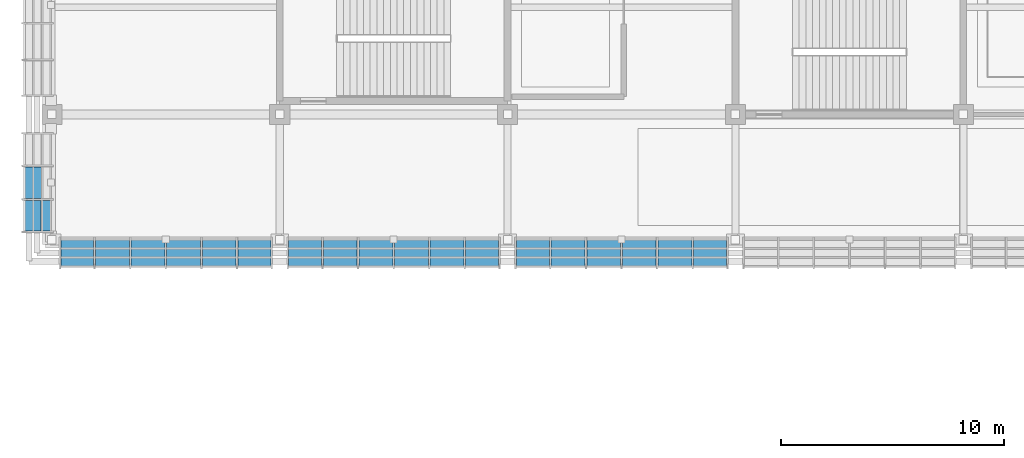
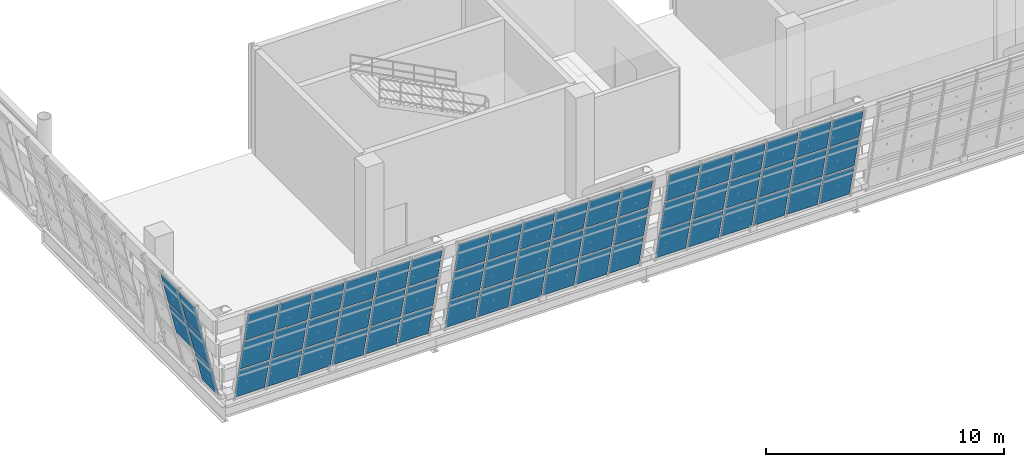
# One storey, part 102 of 175: 59 plates, 4 elements without a shape of their own.
"""IFC4 building model written with IfcOpenShell, lengths in metres."""

from ifc_helpers import new_model, si_unit, direction, frame, origin, place, context, subcontext, project, spatial, polyline, outline, extrude, material, layer, layer_set, type_object, element, aggregate, save


model = new_model("IFC4")

# Units and contexts
model_context = context("Model", 3, precision=1e-05, world=origin(), true_north=direction((0.0, 1.0)))
body_context = subcontext(model_context, "Body", "Model", "MODEL_VIEW")
ifc_project = project(units=[si_unit("LENGTHUNIT", "METRE"), si_unit("AREAUNIT", "SQUARE_METRE"), si_unit("VOLUMEUNIT", "CUBIC_METRE"), si_unit("PLANEANGLEUNIT", "RADIAN"), si_unit("MASSUNIT", "GRAM", prefix="KILO")], contexts=[model_context])

# Site, building, storey
site_placement = place(None, origin())
site = spatial("IfcSite", under=ifc_project, at=site_placement, CompositionType="ELEMENT")
building_placement = place(site_placement, origin())
building = spatial("IfcBuilding", under=site, at=building_placement, Name="Brelvane Convention Centre", CompositionType="ELEMENT")
storey_placement = place(building_placement, frame((0.0, 0.0, 5.39990234375)))
storey = spatial("IfcBuildingStorey", under=building, at=storey_placement, Name="L01", CompositionType="ELEMENT", Elevation=5.39990234375)

# Curtain wall, plates
ifc_material_1 = material(Name="Anodised Aluminium Alloy 6063-T6", Category="aluminium")
curtain_wall_type = type_object("IfcCurtainWallType", Name="Curtain Wall CW-HULL-S", PredefinedType="USERDEFINED", material=ifc_material_1)
curtain_wall_1_placement = place(storey_placement, origin())
curtain_wall_1 = element("IfcCurtainWall", 1, at=curtain_wall_1_placement, inside=storey, type_object=curtain_wall_type, Name="Curtain Wall CW-HULL-S L01-HULL-S-L01-01", ObjectType="UNITISED", PredefinedType="USERDEFINED")
ifc_material_2 = material(Name="Double Glazed Low-E Laminated Unit")
ifc_layer_1 = layer(ifc_material_2, 0.031982421875)
ifc_layer_set_1 = layer_set([ifc_layer_1], Name="Double Glazed Low-E Laminated Unit")
plate_type_1 = type_object("IfcPlateType", Name="Curtain Panel CW-PG1", PredefinedType="CURTAIN_PANEL", material=ifc_layer_set_1)
plate_1_placement = place(storey_placement, frame((0.39990234375, 13.18798828125, 1.7568359375), z_axis=(0.0, 0.973584535906, 0.228326852222), x_axis=(1.0, 0.0, 0.0)))
plate_1 = element("IfcPlate", 2, at=plate_1_placement, type_object=plate_type_1, Name="CW-HULL-S panel 1.2", PredefinedType="CURTAIN_PANEL", context=body_context, shape_type="SweptSolid", body=[
    extrude(outline(polyline([(0.0, 0.0), (1.473388671875, 0.0), (1.473388671875, -1.680875721647406), (0.0, -1.680875721647406), (0.0, 0.0)])), origin(), (0.0, 0.0, -1.0), 0.031982421875),
])
plate_2_placement = place(storey_placement, frame((0.39990234375, 12.785400390625, 3.473388671875), z_axis=(0.0, 0.973577021422, 0.228358891569), x_axis=(1.0, 0.0, 0.0)))
plate_2 = element("IfcPlate", 3, at=plate_2_placement, type_object=plate_type_1, Name="CW-HULL-S panel 1.3", PredefinedType="CURTAIN_PANEL", context=body_context, shape_type="SweptSolid", body=[
    extrude(outline(polyline([(0.0, 0.0), (1.473388671875, 0.0), (1.473388671875, -1.640013735294975), (0.0, -1.640013735294975), (0.0, 0.0)])), origin(), (0.0, 0.0, -1.0), 0.031982421875),
])
plate_3_placement = place(storey_placement, frame((1.953369140625, 13.18798828125, 1.7568359375), z_axis=(0.0, 0.973584535906, 0.228326852222), x_axis=(1.0, 0.0, 0.0)))
plate_3 = element("IfcPlate", 4, at=plate_3_placement, type_object=plate_type_1, Name="CW-HULL-S panel 2.2", PredefinedType="CURTAIN_PANEL", context=body_context, shape_type="SweptSolid", body=[
    extrude(outline(polyline([(0.0, 0.0), (1.51318359375, 0.0), (1.51318359375, -1.680875721647406), (0.0, -1.680875721647406), (0.0, 0.0)])), origin(), (0.0, 0.0, -1.0), 0.031982421875),
])
plate_4_placement = place(storey_placement, frame((1.953369140625, 12.785400390625, 3.473388671875), z_axis=(0.0, 0.973577021422, 0.228358891569), x_axis=(1.0, 0.0, 0.0)))
plate_4 = element("IfcPlate", 5, at=plate_4_placement, type_object=plate_type_1, Name="CW-HULL-S panel 2.3", PredefinedType="CURTAIN_PANEL", context=body_context, shape_type="SweptSolid", body=[
    extrude(outline(polyline([(0.0, 0.0), (1.51318359375, 0.0), (1.51318359375, -1.640013735294975), (0.0, -1.640013735294975), (0.0, 0.0)])), origin(), (0.0, 0.0, -1.0), 0.031982421875),
])
plate_5_placement = place(storey_placement, frame((3.546630859375, 13.18798828125, 1.7568359375), z_axis=(0.0, 0.973584535906, 0.228326852222), x_axis=(1.0, 0.0, 0.0)))
plate_5 = element("IfcPlate", 6, at=plate_5_placement, type_object=plate_type_1, Name="CW-HULL-S panel 3.2", PredefinedType="CURTAIN_PANEL", context=body_context, shape_type="SweptSolid", body=[
    extrude(outline(polyline([(0.0, 0.0), (1.513427734375, 0.0), (1.513427734375, -1.680875721647406), (0.0, -1.680875721647406), (0.0, 0.0)])), origin(), (0.0, 0.0, -1.0), 0.031982421875),
])
plate_6_placement = place(storey_placement, frame((3.546630859375, 12.785400390625, 3.473388671875), z_axis=(0.0, 0.973577021422, 0.228358891569), x_axis=(1.0, 0.0, 0.0)))
plate_6 = element("IfcPlate", 7, at=plate_6_placement, type_object=plate_type_1, Name="CW-HULL-S panel 3.3", PredefinedType="CURTAIN_PANEL", context=body_context, shape_type="SweptSolid", body=[
    extrude(outline(polyline([(0.0, 0.0), (1.513427734375, 0.0), (1.513427734375, -1.6400137352949753), (0.0, -1.6400137352949753), (0.0, 0.0)])), origin(), (0.0, 0.0, -1.0), 0.031982421875),
])
plate_7_placement = place(storey_placement, frame((5.139892578125, 13.18798828125, 1.7568359375), z_axis=(0.0, 0.973584535906, 0.228326852222), x_axis=(1.0, 0.0, 0.0)))
plate_7 = element("IfcPlate", 8, at=plate_7_placement, type_object=plate_type_1, Name="CW-HULL-S panel 4.2", PredefinedType="CURTAIN_PANEL", context=body_context, shape_type="SweptSolid", body=[
    extrude(outline(polyline([(0.0, 0.0), (1.513427734375, 0.0), (1.513427734375, -1.680875721647406), (0.0, -1.680875721647406), (0.0, 0.0)])), origin(), (0.0, 0.0, -1.0), 0.031982421875),
])
plate_8_placement = place(storey_placement, frame((5.139892578125, 12.785400390625, 3.473388671875), z_axis=(0.0, 0.973577021422, 0.228358891569), x_axis=(1.0, 0.0, 0.0)))
plate_8 = element("IfcPlate", 9, at=plate_8_placement, type_object=plate_type_1, Name="CW-HULL-S panel 4.3", PredefinedType="CURTAIN_PANEL", context=body_context, shape_type="SweptSolid", body=[
    extrude(outline(polyline([(0.0, 0.0), (1.513427734375, 0.0), (1.513427734375, -1.6400137352949753), (0.0, -1.6400137352949753), (0.0, 0.0)])), origin(), (0.0, 0.0, -1.0), 0.031982421875),
])
plate_9_placement = place(storey_placement, frame((6.7333984375, 13.18798828125, 1.7568359375), z_axis=(0.0, 0.973584535906, 0.228326852222), x_axis=(1.0, 0.0, 0.0)))
plate_9 = element("IfcPlate", 10, at=plate_9_placement, type_object=plate_type_1, Name="CW-HULL-S panel 5.2", PredefinedType="CURTAIN_PANEL", context=body_context, shape_type="SweptSolid", body=[
    extrude(outline(polyline([(0.0, 0.0), (1.51318359375, 0.0), (1.51318359375, -1.680875721647406), (0.0, -1.680875721647406), (0.0, 0.0)])), origin(), (0.0, 0.0, -1.0), 0.031982421875),
])
plate_10_placement = place(storey_placement, frame((6.7333984375, 12.785400390625, 3.473388671875), z_axis=(0.0, 0.973577021422, 0.228358891569), x_axis=(1.0, 0.0, 0.0)))
plate_10 = element("IfcPlate", 11, at=plate_10_placement, type_object=plate_type_1, Name="CW-HULL-S panel 5.3", PredefinedType="CURTAIN_PANEL", context=body_context, shape_type="SweptSolid", body=[
    extrude(outline(polyline([(0.0, 0.0), (1.51318359375, 0.0), (1.51318359375, -1.640013735294975), (0.0, -1.640013735294975), (0.0, 0.0)])), origin(), (0.0, 0.0, -1.0), 0.031982421875),
])
plate_11_placement = place(storey_placement, frame((8.32666015625, 13.18798828125, 1.7568359375), z_axis=(0.0, 0.973584535906, 0.228326852222), x_axis=(1.0, 0.0, 0.0)))
plate_11 = element("IfcPlate", 12, at=plate_11_placement, type_object=plate_type_1, Name="CW-HULL-S panel 6.2", PredefinedType="CURTAIN_PANEL", context=body_context, shape_type="SweptSolid", body=[
    extrude(outline(polyline([(0.0, 0.0), (1.473388671875, 0.0), (1.473388671875, -1.680875721647406), (0.0, -1.680875721647406), (0.0, 0.0)])), origin(), (0.0, 0.0, -1.0), 0.031982421875),
])
plate_12_placement = place(storey_placement, frame((8.32666015625, 12.785400390625, 3.473388671875), z_axis=(0.0, 0.973577021422, 0.228358891569), x_axis=(1.0, 0.0, 0.0)))
plate_12 = element("IfcPlate", 13, at=plate_12_placement, type_object=plate_type_1, Name="CW-HULL-S panel 6.3", PredefinedType="CURTAIN_PANEL", context=body_context, shape_type="SweptSolid", body=[
    extrude(outline(polyline([(0.0, 0.0), (1.473388671875, 0.0), (1.473388671875, -1.640013735294975), (0.0, -1.640013735294975), (0.0, 0.0)])), origin(), (0.0, 0.0, -1.0), 0.031982421875),
])

curtain_wall_2_placement = place(storey_placement, origin())
curtain_wall_2 = element("IfcCurtainWall", 14, at=curtain_wall_2_placement, inside=storey, type_object=curtain_wall_type, Name="Curtain Wall CW-HULL-S L01-HULL-S-L01-02", ObjectType="UNITISED", PredefinedType="USERDEFINED")
plate_13_placement = place(storey_placement, frame((10.60009765625, 13.18798828125, 1.7568359375), z_axis=(0.0, 0.973584535906, 0.228326852222), x_axis=(1.0, 0.0, 0.0)))
plate_13 = element("IfcPlate", 15, at=plate_13_placement, type_object=plate_type_1, Name="CW-HULL-S panel 1.2", PredefinedType="CURTAIN_PANEL", context=body_context, shape_type="SweptSolid", body=[
    extrude(outline(polyline([(0.0, 0.0), (1.47314453125, 0.0), (1.47314453125, -1.680875721647406), (0.0, -1.680875721647406), (0.0, 0.0)])), origin(), (0.0, 0.0, -1.0), 0.031982421875),
])
plate_14_placement = place(storey_placement, frame((10.60009765625, 12.785400390625, 3.473388671875), z_axis=(0.0, 0.973577021422, 0.228358891569), x_axis=(1.0, 0.0, 0.0)))
plate_14 = element("IfcPlate", 16, at=plate_14_placement, type_object=plate_type_1, Name="CW-HULL-S panel 1.3", PredefinedType="CURTAIN_PANEL", context=body_context, shape_type="SweptSolid", body=[
    extrude(outline(polyline([(0.0, 0.0), (1.47314453125, 0.0), (1.47314453125, -1.6400137352949753), (0.0, -1.6400137352949753), (0.0, 0.0)])), origin(), (0.0, 0.0, -1.0), 0.031982421875),
])
plate_15_placement = place(storey_placement, frame((12.1533203125, 13.18798828125, 1.7568359375), z_axis=(0.0, 0.973584535906, 0.228326852222), x_axis=(1.0, 0.0, 0.0)))
plate_15 = element("IfcPlate", 17, at=plate_15_placement, type_object=plate_type_1, Name="CW-HULL-S panel 2.2", PredefinedType="CURTAIN_PANEL", context=body_context, shape_type="SweptSolid", body=[
    extrude(outline(polyline([(0.0, 0.0), (1.513427734375, 0.0), (1.513427734375, -1.680875721647406), (0.0, -1.680875721647406), (0.0, 0.0)])), origin(), (0.0, 0.0, -1.0), 0.031982421875),
])
plate_16_placement = place(storey_placement, frame((12.1533203125, 12.785400390625, 3.473388671875), z_axis=(0.0, 0.973577021422, 0.228358891569), x_axis=(1.0, 0.0, 0.0)))
plate_16 = element("IfcPlate", 18, at=plate_16_placement, type_object=plate_type_1, Name="CW-HULL-S panel 2.3", PredefinedType="CURTAIN_PANEL", context=body_context, shape_type="SweptSolid", body=[
    extrude(outline(polyline([(0.0, 0.0), (1.513427734375, 0.0), (1.513427734375, -1.6400137352949753), (0.0, -1.6400137352949753), (0.0, 0.0)])), origin(), (0.0, 0.0, -1.0), 0.031982421875),
])
plate_17_placement = place(storey_placement, frame((13.74658203125, 13.18798828125, 1.7568359375), z_axis=(0.0, 0.973584535906, 0.228326852222), x_axis=(1.0, 0.0, 0.0)))
plate_17 = element("IfcPlate", 19, at=plate_17_placement, type_object=plate_type_1, Name="CW-HULL-S panel 3.2", PredefinedType="CURTAIN_PANEL", context=body_context, shape_type="SweptSolid", body=[
    extrude(outline(polyline([(0.0, 0.0), (1.513427734375, 0.0), (1.513427734375, -1.680875721647406), (0.0, -1.680875721647406), (0.0, 0.0)])), origin(), (0.0, 0.0, -1.0), 0.031982421875),
])
plate_18_placement = place(storey_placement, frame((13.74658203125, 12.785400390625, 3.473388671875), z_axis=(0.0, 0.973577021422, 0.228358891569), x_axis=(1.0, 0.0, 0.0)))
plate_18 = element("IfcPlate", 20, at=plate_18_placement, type_object=plate_type_1, Name="CW-HULL-S panel 3.3", PredefinedType="CURTAIN_PANEL", context=body_context, shape_type="SweptSolid", body=[
    extrude(outline(polyline([(0.0, 0.0), (1.513427734375, 0.0), (1.513427734375, -1.6400137352949753), (0.0, -1.6400137352949753), (0.0, 0.0)])), origin(), (0.0, 0.0, -1.0), 0.031982421875),
])
plate_19_placement = place(storey_placement, frame((15.340087890625, 13.18798828125, 1.7568359375), z_axis=(0.0, 0.973584535906, 0.228326852222), x_axis=(1.0, 0.0, 0.0)))
plate_19 = element("IfcPlate", 21, at=plate_19_placement, type_object=plate_type_1, Name="CW-HULL-S panel 4.2", PredefinedType="CURTAIN_PANEL", context=body_context, shape_type="SweptSolid", body=[
    extrude(outline(polyline([(0.0, 0.0), (1.51318359375, 0.0), (1.51318359375, -1.680875721647406), (0.0, -1.680875721647406), (0.0, 0.0)])), origin(), (0.0, 0.0, -1.0), 0.031982421875),
])
plate_20_placement = place(storey_placement, frame((15.340087890625, 12.785400390625, 3.473388671875), z_axis=(0.0, 0.973577021422, 0.228358891569), x_axis=(1.0, 0.0, 0.0)))
plate_20 = element("IfcPlate", 22, at=plate_20_placement, type_object=plate_type_1, Name="CW-HULL-S panel 4.3", PredefinedType="CURTAIN_PANEL", context=body_context, shape_type="SweptSolid", body=[
    extrude(outline(polyline([(0.0, 0.0), (1.51318359375, 0.0), (1.51318359375, -1.640013735294975), (0.0, -1.640013735294975), (0.0, 0.0)])), origin(), (0.0, 0.0, -1.0), 0.031982421875),
])
plate_21_placement = place(storey_placement, frame((16.933349609375, 13.18798828125, 1.7568359375), z_axis=(0.0, 0.973584535906, 0.228326852222), x_axis=(1.0, 0.0, 0.0)))
plate_21 = element("IfcPlate", 23, at=plate_21_placement, type_object=plate_type_1, Name="CW-HULL-S panel 5.2", PredefinedType="CURTAIN_PANEL", context=body_context, shape_type="SweptSolid", body=[
    extrude(outline(polyline([(0.0, 0.0), (1.513427734375, 0.0), (1.513427734375, -1.680875721647406), (0.0, -1.680875721647406), (0.0, 0.0)])), origin(), (0.0, 0.0, -1.0), 0.031982421875),
])
plate_22_placement = place(storey_placement, frame((16.933349609375, 12.785400390625, 3.473388671875), z_axis=(0.0, 0.973577021422, 0.228358891569), x_axis=(1.0, 0.0, 0.0)))
plate_22 = element("IfcPlate", 24, at=plate_22_placement, type_object=plate_type_1, Name="CW-HULL-S panel 5.3", PredefinedType="CURTAIN_PANEL", context=body_context, shape_type="SweptSolid", body=[
    extrude(outline(polyline([(0.0, 0.0), (1.513427734375, 0.0), (1.513427734375, -1.6400137352949753), (0.0, -1.6400137352949753), (0.0, 0.0)])), origin(), (0.0, 0.0, -1.0), 0.031982421875),
])
plate_23_placement = place(storey_placement, frame((18.526611328125, 13.18798828125, 1.7568359375), z_axis=(0.0, 0.973584535906, 0.228326852222), x_axis=(1.0, 0.0, 0.0)))
plate_23 = element("IfcPlate", 25, at=plate_23_placement, type_object=plate_type_1, Name="CW-HULL-S panel 6.2", PredefinedType="CURTAIN_PANEL", context=body_context, shape_type="SweptSolid", body=[
    extrude(outline(polyline([(0.0, 0.0), (1.473388671875, 0.0), (1.473388671875, -1.680875721647406), (0.0, -1.680875721647406), (0.0, 0.0)])), origin(), (0.0, 0.0, -1.0), 0.031982421875),
])
plate_24_placement = place(storey_placement, frame((18.526611328125, 12.785400390625, 3.473388671875), z_axis=(0.0, 0.973577021422, 0.228358891569), x_axis=(1.0, 0.0, 0.0)))
plate_24 = element("IfcPlate", 26, at=plate_24_placement, type_object=plate_type_1, Name="CW-HULL-S panel 6.3", PredefinedType="CURTAIN_PANEL", context=body_context, shape_type="SweptSolid", body=[
    extrude(outline(polyline([(0.0, 0.0), (1.473388671875, 0.0), (1.473388671875, -1.640013735294975), (0.0, -1.640013735294975), (0.0, 0.0)])), origin(), (0.0, 0.0, -1.0), 0.031982421875),
])

curtain_wall_3_placement = place(storey_placement, origin())
curtain_wall_3 = element("IfcCurtainWall", 27, at=curtain_wall_3_placement, inside=storey, type_object=curtain_wall_type, Name="Curtain Wall CW-HULL-S L01-HULL-S-L01-03", ObjectType="UNITISED", PredefinedType="USERDEFINED")
plate_25_placement = place(storey_placement, frame((20.800048828125, 13.18798828125, 1.7568359375), z_axis=(0.0, 0.973584535906, 0.228326852222), x_axis=(1.0, 0.0, 0.0)))
plate_25 = element("IfcPlate", 28, at=plate_25_placement, type_object=plate_type_1, Name="CW-HULL-S panel 1.2", PredefinedType="CURTAIN_PANEL", context=body_context, shape_type="SweptSolid", body=[
    extrude(outline(polyline([(0.0, 0.0), (1.473388671875, 0.0), (1.473388671875, -1.680875721647406), (0.0, -1.680875721647406), (0.0, 0.0)])), origin(), (0.0, 0.0, -1.0), 0.031982421875),
])
plate_26_placement = place(storey_placement, frame((20.800048828125, 12.785400390625, 3.473388671875), z_axis=(0.0, 0.973577021422, 0.228358891569), x_axis=(1.0, 0.0, 0.0)))
plate_26 = element("IfcPlate", 29, at=plate_26_placement, type_object=plate_type_1, Name="CW-HULL-S panel 1.3", PredefinedType="CURTAIN_PANEL", context=body_context, shape_type="SweptSolid", body=[
    extrude(outline(polyline([(0.0, 0.0), (1.473388671875, 0.0), (1.473388671875, -1.640013735294975), (0.0, -1.640013735294975), (0.0, 0.0)])), origin(), (0.0, 0.0, -1.0), 0.031982421875),
])
plate_27_placement = place(storey_placement, frame((22.353271484375, 13.18798828125, 1.7568359375), z_axis=(0.0, 0.973584535906, 0.228326852222), x_axis=(1.0, 0.0, 0.0)))
plate_27 = element("IfcPlate", 30, at=plate_27_placement, type_object=plate_type_1, Name="CW-HULL-S panel 2.2", PredefinedType="CURTAIN_PANEL", context=body_context, shape_type="SweptSolid", body=[
    extrude(outline(polyline([(0.0, 0.0), (1.513427734375, 0.0), (1.513427734375, -1.680875721647406), (0.0, -1.680875721647406), (0.0, 0.0)])), origin(), (0.0, 0.0, -1.0), 0.031982421875),
])
plate_28_placement = place(storey_placement, frame((22.353271484375, 12.785400390625, 3.473388671875), z_axis=(0.0, 0.973577021422, 0.228358891569), x_axis=(1.0, 0.0, 0.0)))
plate_28 = element("IfcPlate", 31, at=plate_28_placement, type_object=plate_type_1, Name="CW-HULL-S panel 2.3", PredefinedType="CURTAIN_PANEL", context=body_context, shape_type="SweptSolid", body=[
    extrude(outline(polyline([(0.0, 0.0), (1.513427734375, 0.0), (1.513427734375, -1.6400137352949753), (0.0, -1.6400137352949753), (0.0, 0.0)])), origin(), (0.0, 0.0, -1.0), 0.031982421875),
])
plate_29_placement = place(storey_placement, frame((23.94677734375, 13.18798828125, 1.7568359375), z_axis=(0.0, 0.973584535906, 0.228326852222), x_axis=(1.0, 0.0, 0.0)))
plate_29 = element("IfcPlate", 32, at=plate_29_placement, type_object=plate_type_1, Name="CW-HULL-S panel 3.2", PredefinedType="CURTAIN_PANEL", context=body_context, shape_type="SweptSolid", body=[
    extrude(outline(polyline([(0.0, 0.0), (1.51318359375, 0.0), (1.51318359375, -1.680875721647406), (0.0, -1.680875721647406), (0.0, 0.0)])), origin(), (0.0, 0.0, -1.0), 0.031982421875),
])
plate_30_placement = place(storey_placement, frame((23.94677734375, 12.785400390625, 3.473388671875), z_axis=(0.0, 0.973577021422, 0.228358891569), x_axis=(1.0, 0.0, 0.0)))
plate_30 = element("IfcPlate", 33, at=plate_30_placement, type_object=plate_type_1, Name="CW-HULL-S panel 3.3", PredefinedType="CURTAIN_PANEL", context=body_context, shape_type="SweptSolid", body=[
    extrude(outline(polyline([(0.0, 0.0), (1.51318359375, 0.0), (1.51318359375, -1.640013735294975), (0.0, -1.640013735294975), (0.0, 0.0)])), origin(), (0.0, 0.0, -1.0), 0.031982421875),
])
plate_31_placement = place(storey_placement, frame((25.5400390625, 13.18798828125, 1.7568359375), z_axis=(0.0, 0.973584535906, 0.228326852222), x_axis=(1.0, 0.0, 0.0)))
plate_31 = element("IfcPlate", 34, at=plate_31_placement, type_object=plate_type_1, Name="CW-HULL-S panel 4.2", PredefinedType="CURTAIN_PANEL", context=body_context, shape_type="SweptSolid", body=[
    extrude(outline(polyline([(0.0, 0.0), (1.51318359375, 0.0), (1.51318359375, -1.680875721647406), (0.0, -1.680875721647406), (0.0, 0.0)])), origin(), (0.0, 0.0, -1.0), 0.031982421875),
])
plate_32_placement = place(storey_placement, frame((25.5400390625, 12.785400390625, 3.473388671875), z_axis=(0.0, 0.973577021422, 0.228358891569), x_axis=(1.0, 0.0, 0.0)))
plate_32 = element("IfcPlate", 35, at=plate_32_placement, type_object=plate_type_1, Name="CW-HULL-S panel 4.3", PredefinedType="CURTAIN_PANEL", context=body_context, shape_type="SweptSolid", body=[
    extrude(outline(polyline([(0.0, 0.0), (1.51318359375, 0.0), (1.51318359375, -1.640013735294975), (0.0, -1.640013735294975), (0.0, 0.0)])), origin(), (0.0, 0.0, -1.0), 0.031982421875),
])
plate_33_placement = place(storey_placement, frame((27.13330078125, 13.18798828125, 1.7568359375), z_axis=(0.0, 0.973584535906, 0.228326852222), x_axis=(1.0, 0.0, 0.0)))
plate_33 = element("IfcPlate", 36, at=plate_33_placement, type_object=plate_type_1, Name="CW-HULL-S panel 5.2", PredefinedType="CURTAIN_PANEL", context=body_context, shape_type="SweptSolid", body=[
    extrude(outline(polyline([(0.0, 0.0), (1.513427734375, 0.0), (1.513427734375, -1.680875721647406), (0.0, -1.680875721647406), (0.0, 0.0)])), origin(), (0.0, 0.0, -1.0), 0.031982421875),
])
plate_34_placement = place(storey_placement, frame((27.13330078125, 12.785400390625, 3.473388671875), z_axis=(0.0, 0.973577021422, 0.228358891569), x_axis=(1.0, 0.0, 0.0)))
plate_34 = element("IfcPlate", 37, at=plate_34_placement, type_object=plate_type_1, Name="CW-HULL-S panel 5.3", PredefinedType="CURTAIN_PANEL", context=body_context, shape_type="SweptSolid", body=[
    extrude(outline(polyline([(0.0, 0.0), (1.513427734375, 0.0), (1.513427734375, -1.6400137352949753), (0.0, -1.6400137352949753), (0.0, 0.0)])), origin(), (0.0, 0.0, -1.0), 0.031982421875),
])
plate_35_placement = place(storey_placement, frame((28.7265625, 13.18798828125, 1.7568359375), z_axis=(0.0, 0.973584535906, 0.228326852222), x_axis=(1.0, 0.0, 0.0)))
plate_35 = element("IfcPlate", 38, at=plate_35_placement, type_object=plate_type_1, Name="CW-HULL-S panel 6.2", PredefinedType="CURTAIN_PANEL", context=body_context, shape_type="SweptSolid", body=[
    extrude(outline(polyline([(0.0, 0.0), (1.473388671875, 0.0), (1.473388671875, -1.680875721647406), (0.0, -1.680875721647406), (0.0, 0.0)])), origin(), (0.0, 0.0, -1.0), 0.031982421875),
])
plate_36_placement = place(storey_placement, frame((28.7265625, 12.785400390625, 3.473388671875), z_axis=(0.0, 0.973577021422, 0.228358891569), x_axis=(1.0, 0.0, 0.0)))
plate_36 = element("IfcPlate", 39, at=plate_36_placement, type_object=plate_type_1, Name="CW-HULL-S panel 6.3", PredefinedType="CURTAIN_PANEL", context=body_context, shape_type="SweptSolid", body=[
    extrude(outline(polyline([(0.0, 0.0), (1.473388671875, 0.0), (1.473388671875, -1.640013735294975), (0.0, -1.640013735294975), (0.0, 0.0)])), origin(), (0.0, 0.0, -1.0), 0.031982421875),
])

# Plate
ifc_material_3 = material(Name="Patinated Copper-Bronze Alloy C22000")
ifc_layer_2 = layer(ifc_material_3, 0.048095703125)
ifc_layer_set_2 = layer_set([ifc_layer_2], Name="Patinated Copper-Bronze Alloy C22000")
plate_type_2 = type_object("IfcPlateType", Name="Curtain Panel CW-PS1", PredefinedType="CURTAIN_PANEL", material=ifc_layer_set_2)
plate_37_placement = place(storey_placement, frame((0.39990234375, 13.581298828125, 0.080078125), z_axis=(0.0, 0.973577021422, 0.228358891569), x_axis=(1.0, 0.0, 0.0)))
plate_37 = element("IfcPlate", 40, at=plate_37_placement, type_object=plate_type_2, Name="CW-HULL-S panel 1.1", PredefinedType="CURTAIN_PANEL", context=body_context, shape_type="SweptSolid", body=[
    extrude(outline(polyline([(0.0, 0.0), (1.473388671875, 0.0), (1.473388671875, -1.640013735294975), (0.0, -1.640013735294975), (0.0, 0.0)])), origin(), (0.0, 0.0, -1.0), 0.031982421875),
])

plate_38_placement = place(storey_placement, frame((1.953369140625, 13.581298828125, 0.080078125), z_axis=(0.0, 0.973577021422, 0.228358891569), x_axis=(1.0, 0.0, 0.0)))
plate_38 = element("IfcPlate", 41, at=plate_38_placement, type_object=plate_type_2, Name="CW-HULL-S panel 2.1", PredefinedType="CURTAIN_PANEL", context=body_context, shape_type="SweptSolid", body=[
    extrude(outline(polyline([(0.0, 0.0), (1.51318359375, 0.0), (1.51318359375, -1.640013735294975), (0.0, -1.640013735294975), (0.0, 0.0)])), origin(), (0.0, 0.0, -1.0), 0.031982421875),
])

plate_39_placement = place(storey_placement, frame((3.546630859375, 13.581298828125, 0.080078125), z_axis=(0.0, 0.973577021422, 0.228358891569), x_axis=(1.0, 0.0, 0.0)))
plate_39 = element("IfcPlate", 42, at=plate_39_placement, type_object=plate_type_2, Name="CW-HULL-S panel 3.1", PredefinedType="CURTAIN_PANEL", context=body_context, shape_type="SweptSolid", body=[
    extrude(outline(polyline([(0.0, 0.0), (1.513427734375, 0.0), (1.513427734375, -1.6400137352949753), (0.0, -1.6400137352949753), (0.0, 0.0)])), origin(), (0.0, 0.0, -1.0), 0.031982421875),
])

plate_40_placement = place(storey_placement, frame((5.139892578125, 13.581298828125, 0.080078125), z_axis=(0.0, 0.973577021422, 0.228358891569), x_axis=(1.0, 0.0, 0.0)))
plate_40 = element("IfcPlate", 43, at=plate_40_placement, type_object=plate_type_2, Name="CW-HULL-S panel 4.1", PredefinedType="CURTAIN_PANEL", context=body_context, shape_type="SweptSolid", body=[
    extrude(outline(polyline([(0.0, 0.0), (1.513427734375, 0.0), (1.513427734375, -1.6400137352949753), (0.0, -1.6400137352949753), (0.0, 0.0)])), origin(), (0.0, 0.0, -1.0), 0.031982421875),
])

plate_41_placement = place(storey_placement, frame((6.7333984375, 13.581298828125, 0.080078125), z_axis=(0.0, 0.973577021422, 0.228358891569), x_axis=(1.0, 0.0, 0.0)))
plate_41 = element("IfcPlate", 44, at=plate_41_placement, type_object=plate_type_2, Name="CW-HULL-S panel 5.1", PredefinedType="CURTAIN_PANEL", context=body_context, shape_type="SweptSolid", body=[
    extrude(outline(polyline([(0.0, 0.0), (1.51318359375, 0.0), (1.51318359375, -1.640013735294975), (0.0, -1.640013735294975), (0.0, 0.0)])), origin(), (0.0, 0.0, -1.0), 0.031982421875),
])

plate_42_placement = place(storey_placement, frame((8.32666015625, 13.581298828125, 0.080078125), z_axis=(0.0, 0.973577021422, 0.228358891569), x_axis=(1.0, 0.0, 0.0)))
plate_42 = element("IfcPlate", 45, at=plate_42_placement, type_object=plate_type_2, Name="CW-HULL-S panel 6.1", PredefinedType="CURTAIN_PANEL", context=body_context, shape_type="SweptSolid", body=[
    extrude(outline(polyline([(0.0, 0.0), (1.473388671875, 0.0), (1.473388671875, -1.640013735294975), (0.0, -1.640013735294975), (0.0, 0.0)])), origin(), (0.0, 0.0, -1.0), 0.031982421875),
])

aggregate(curtain_wall_1, [plate_37, plate_1, plate_2, plate_38, plate_3, plate_4, plate_39, plate_5, plate_6, plate_40, plate_7, plate_8, plate_41, plate_9, plate_10, plate_42, plate_11, plate_12])

plate_43_placement = place(storey_placement, frame((10.60009765625, 13.581298828125, 0.080078125), z_axis=(0.0, 0.973577021422, 0.228358891569), x_axis=(1.0, 0.0, 0.0)))
plate_43 = element("IfcPlate", 46, at=plate_43_placement, type_object=plate_type_2, Name="CW-HULL-S panel 1.1", PredefinedType="CURTAIN_PANEL", context=body_context, shape_type="SweptSolid", body=[
    extrude(outline(polyline([(0.0, 0.0), (1.47314453125, 0.0), (1.47314453125, -1.6400137352949753), (0.0, -1.6400137352949753), (0.0, 0.0)])), origin(), (0.0, 0.0, -1.0), 0.031982421875),
])

plate_44_placement = place(storey_placement, frame((12.1533203125, 13.581298828125, 0.080078125), z_axis=(0.0, 0.973577021422, 0.228358891569), x_axis=(1.0, 0.0, 0.0)))
plate_44 = element("IfcPlate", 47, at=plate_44_placement, type_object=plate_type_2, Name="CW-HULL-S panel 2.1", PredefinedType="CURTAIN_PANEL", context=body_context, shape_type="SweptSolid", body=[
    extrude(outline(polyline([(0.0, 0.0), (1.513427734375, 0.0), (1.513427734375, -1.6400137352949753), (0.0, -1.6400137352949753), (0.0, 0.0)])), origin(), (0.0, 0.0, -1.0), 0.031982421875),
])

plate_45_placement = place(storey_placement, frame((13.74658203125, 13.581298828125, 0.080078125), z_axis=(0.0, 0.973577021422, 0.228358891569), x_axis=(1.0, 0.0, 0.0)))
plate_45 = element("IfcPlate", 48, at=plate_45_placement, type_object=plate_type_2, Name="CW-HULL-S panel 3.1", PredefinedType="CURTAIN_PANEL", context=body_context, shape_type="SweptSolid", body=[
    extrude(outline(polyline([(0.0, 0.0), (1.513427734375, 0.0), (1.513427734375, -1.6400137352949753), (0.0, -1.6400137352949753), (0.0, 0.0)])), origin(), (0.0, 0.0, -1.0), 0.031982421875),
])

plate_46_placement = place(storey_placement, frame((15.340087890625, 13.581298828125, 0.080078125), z_axis=(0.0, 0.973577021422, 0.228358891569), x_axis=(1.0, 0.0, 0.0)))
plate_46 = element("IfcPlate", 49, at=plate_46_placement, type_object=plate_type_2, Name="CW-HULL-S panel 4.1", PredefinedType="CURTAIN_PANEL", context=body_context, shape_type="SweptSolid", body=[
    extrude(outline(polyline([(0.0, 0.0), (1.51318359375, 0.0), (1.51318359375, -1.640013735294975), (0.0, -1.640013735294975), (0.0, 0.0)])), origin(), (0.0, 0.0, -1.0), 0.031982421875),
])

plate_47_placement = place(storey_placement, frame((16.933349609375, 13.581298828125, 0.080078125), z_axis=(0.0, 0.973577021422, 0.228358891569), x_axis=(1.0, 0.0, 0.0)))
plate_47 = element("IfcPlate", 50, at=plate_47_placement, type_object=plate_type_2, Name="CW-HULL-S panel 5.1", PredefinedType="CURTAIN_PANEL", context=body_context, shape_type="SweptSolid", body=[
    extrude(outline(polyline([(0.0, 0.0), (1.513427734375, 0.0), (1.513427734375, -1.6400137352949753), (0.0, -1.6400137352949753), (0.0, 0.0)])), origin(), (0.0, 0.0, -1.0), 0.031982421875),
])

plate_48_placement = place(storey_placement, frame((18.526611328125, 13.581298828125, 0.080078125), z_axis=(0.0, 0.973577021422, 0.228358891569), x_axis=(1.0, 0.0, 0.0)))
plate_48 = element("IfcPlate", 51, at=plate_48_placement, type_object=plate_type_2, Name="CW-HULL-S panel 6.1", PredefinedType="CURTAIN_PANEL", context=body_context, shape_type="SweptSolid", body=[
    extrude(outline(polyline([(0.0, 0.0), (1.473388671875, 0.0), (1.473388671875, -1.640013735294975), (0.0, -1.640013735294975), (0.0, 0.0)])), origin(), (0.0, 0.0, -1.0), 0.031982421875),
])

aggregate(curtain_wall_2, [plate_43, plate_13, plate_14, plate_44, plate_15, plate_16, plate_45, plate_17, plate_18, plate_46, plate_19, plate_20, plate_47, plate_21, plate_22, plate_48, plate_23, plate_24])

plate_49_placement = place(storey_placement, frame((20.800048828125, 13.581298828125, 0.080078125), z_axis=(0.0, 0.973577021422, 0.228358891569), x_axis=(1.0, 0.0, 0.0)))
plate_49 = element("IfcPlate", 52, at=plate_49_placement, type_object=plate_type_2, Name="CW-HULL-S panel 1.1", PredefinedType="CURTAIN_PANEL", context=body_context, shape_type="SweptSolid", body=[
    extrude(outline(polyline([(0.0, 0.0), (1.473388671875, 0.0), (1.473388671875, -1.640013735294975), (0.0, -1.640013735294975), (0.0, 0.0)])), origin(), (0.0, 0.0, -1.0), 0.031982421875),
])

plate_50_placement = place(storey_placement, frame((22.353271484375, 13.581298828125, 0.080078125), z_axis=(0.0, 0.973577021422, 0.228358891569), x_axis=(1.0, 0.0, 0.0)))
plate_50 = element("IfcPlate", 53, at=plate_50_placement, type_object=plate_type_2, Name="CW-HULL-S panel 2.1", PredefinedType="CURTAIN_PANEL", context=body_context, shape_type="SweptSolid", body=[
    extrude(outline(polyline([(0.0, 0.0), (1.513427734375, 0.0), (1.513427734375, -1.6400137352949753), (0.0, -1.6400137352949753), (0.0, 0.0)])), origin(), (0.0, 0.0, -1.0), 0.031982421875),
])

plate_51_placement = place(storey_placement, frame((23.94677734375, 13.581298828125, 0.080078125), z_axis=(0.0, 0.973577021422, 0.228358891569), x_axis=(1.0, 0.0, 0.0)))
plate_51 = element("IfcPlate", 54, at=plate_51_placement, type_object=plate_type_2, Name="CW-HULL-S panel 3.1", PredefinedType="CURTAIN_PANEL", context=body_context, shape_type="SweptSolid", body=[
    extrude(outline(polyline([(0.0, 0.0), (1.51318359375, 0.0), (1.51318359375, -1.640013735294975), (0.0, -1.640013735294975), (0.0, 0.0)])), origin(), (0.0, 0.0, -1.0), 0.031982421875),
])

plate_52_placement = place(storey_placement, frame((25.5400390625, 13.581298828125, 0.080078125), z_axis=(0.0, 0.973577021422, 0.228358891569), x_axis=(1.0, 0.0, 0.0)))
plate_52 = element("IfcPlate", 55, at=plate_52_placement, type_object=plate_type_2, Name="CW-HULL-S panel 4.1", PredefinedType="CURTAIN_PANEL", context=body_context, shape_type="SweptSolid", body=[
    extrude(outline(polyline([(0.0, 0.0), (1.51318359375, 0.0), (1.51318359375, -1.640013735294975), (0.0, -1.640013735294975), (0.0, 0.0)])), origin(), (0.0, 0.0, -1.0), 0.031982421875),
])

plate_53_placement = place(storey_placement, frame((27.13330078125, 13.581298828125, 0.080078125), z_axis=(0.0, 0.973577021422, 0.228358891569), x_axis=(1.0, 0.0, 0.0)))
plate_53 = element("IfcPlate", 56, at=plate_53_placement, type_object=plate_type_2, Name="CW-HULL-S panel 5.1", PredefinedType="CURTAIN_PANEL", context=body_context, shape_type="SweptSolid", body=[
    extrude(outline(polyline([(0.0, 0.0), (1.513427734375, 0.0), (1.513427734375, -1.6400137352949753), (0.0, -1.6400137352949753), (0.0, 0.0)])), origin(), (0.0, 0.0, -1.0), 0.031982421875),
])

plate_54_placement = place(storey_placement, frame((28.7265625, 13.581298828125, 0.080078125), z_axis=(0.0, 0.973577021422, 0.228358891569), x_axis=(1.0, 0.0, 0.0)))
plate_54 = element("IfcPlate", 57, at=plate_54_placement, type_object=plate_type_2, Name="CW-HULL-S panel 6.1", PredefinedType="CURTAIN_PANEL", context=body_context, shape_type="SweptSolid", body=[
    extrude(outline(polyline([(0.0, 0.0), (1.473388671875, 0.0), (1.473388671875, -1.640013735294975), (0.0, -1.640013735294975), (0.0, 0.0)])), origin(), (0.0, 0.0, -1.0), 0.031982421875),
])

aggregate(curtain_wall_3, [plate_49, plate_25, plate_26, plate_50, plate_27, plate_28, plate_51, plate_29, plate_30, plate_52, plate_31, plate_32, plate_53, plate_33, plate_34, plate_54, plate_35, plate_36])

# Curtain wall, plates
curtain_wall_4_placement = place(storey_placement, origin())
curtain_wall_4 = element("IfcCurtainWall", 58, at=curtain_wall_4_placement, inside=storey, type_object=curtain_wall_type, Name="Curtain Wall CW-HULL-S L01-HULL-W-GAL-L01-A", ObjectType="UNITISED", PredefinedType="USERDEFINED")
plate_55_placement = place(storey_placement, frame((-0.058837890625, 13.97998046875, 0.080078125), z_axis=(0.973593228465, 0.0, 0.228289784018), x_axis=(0.0, 1.0, 0.0)))
plate_55 = element("IfcPlate", 59, at=plate_55_placement, type_object=plate_type_2, Name="CW-HULL-S panel 1.1", PredefinedType="CURTAIN_PANEL", context=body_context, shape_type="SweptSolid", body=[
    extrude(outline(polyline([(0.0, 0.0), (1.380126953125, 0.0), (1.380126953125, 1.6159132392285238), (0.0, 1.6159132392285238), (0.0, 0.0)])), origin(), (0.0, 0.0, -1.0), 0.048095703125),
])
plate_56_placement = place(storey_placement, frame((-0.446533203125, 13.97998046875, 1.7333984375), z_axis=(0.9735753786, 0.0, 0.228365895404), x_axis=(0.0, 1.0, 0.0)))
plate_56 = element("IfcPlate", 60, at=plate_56_placement, type_object=plate_type_2, Name="CW-HULL-S panel 1.2", PredefinedType="CURTAIN_PANEL", context=body_context, shape_type="SweptSolid", body=[
    extrude(outline(polyline([(0.0, 0.0), (1.380126953125, 0.0), (1.380126953125, 1.6570686620277502), (0.0, 1.6570686620277502), (0.0, 0.0)])), origin(), (0.0, 0.0, -1.0), 0.048095703125),
])
plate_57_placement = place(storey_placement, frame((-0.84375, 13.97998046875, 3.4267578125), z_axis=(0.973593228465, 0.0, 0.228289784018), x_axis=(0.0, 1.0, 0.0)))
plate_57 = element("IfcPlate", 61, at=plate_57_placement, type_object=plate_type_2, Name="CW-HULL-S panel 1.3", PredefinedType="CURTAIN_PANEL", context=body_context, shape_type="SweptSolid", body=[
    extrude(outline(polyline([(0.0, 0.0), (1.380126953125, 0.0), (1.380126953125, 1.6159132392285238), (0.0, 1.6159132392285238), (0.0, 0.0)])), origin(), (0.0, 0.0, -1.0), 0.048095703125),
])
plate_58_placement = place(storey_placement, frame((-0.446533203125, 15.43994140625, 1.7333984375), z_axis=(0.9735753786, 0.0, 0.228365895404), x_axis=(0.0, 1.0, 0.0)))
plate_58 = element("IfcPlate", 62, at=plate_58_placement, type_object=plate_type_2, Name="CW-HULL-S panel 2.2", PredefinedType="CURTAIN_PANEL", context=body_context, shape_type="SweptSolid", body=[
    extrude(outline(polyline([(0.0, 0.0), (1.420166015625, 0.0), (1.420166015625, 1.6570686620277502), (0.0, 1.6570686620277502), (0.0, 0.0)])), origin(), (0.0, 0.0, -1.0), 0.048095703125),
])
plate_59_placement = place(storey_placement, frame((-0.84375, 15.43994140625, 3.4267578125), z_axis=(0.973593228465, 0.0, 0.228289784018), x_axis=(0.0, 1.0, 0.0)))
plate_59 = element("IfcPlate", 63, at=plate_59_placement, type_object=plate_type_2, Name="CW-HULL-S panel 2.3", PredefinedType="CURTAIN_PANEL", context=body_context, shape_type="SweptSolid", body=[
    extrude(outline(polyline([(0.0, 0.0), (1.420166015625, 0.0), (1.420166015625, 1.6159132392285238), (0.0, 1.6159132392285238), (0.0, 0.0)])), origin(), (0.0, 0.0, -1.0), 0.048095703125),
])
aggregate(curtain_wall_4, [plate_55, plate_56, plate_57, plate_58, plate_59])

save(model, "model.ifc")
